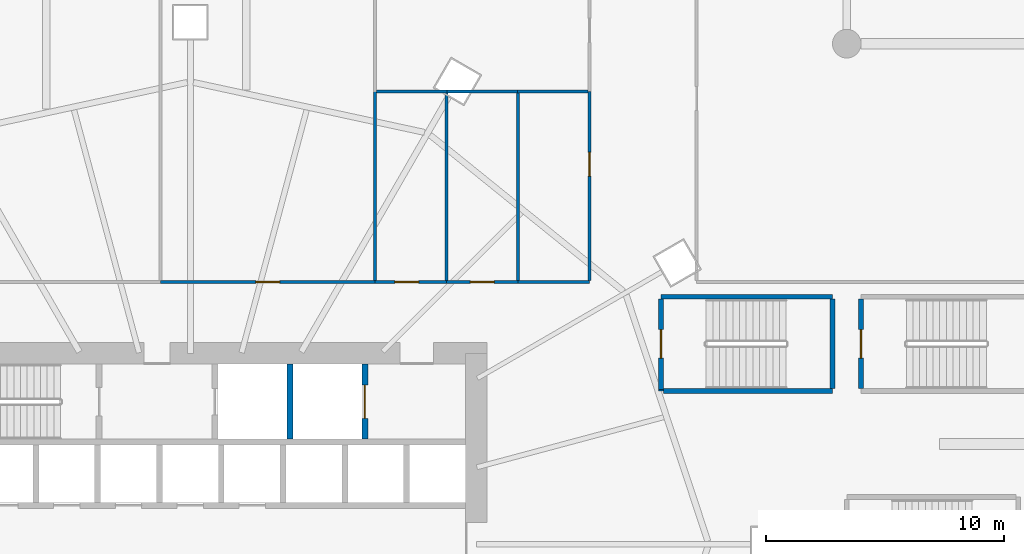
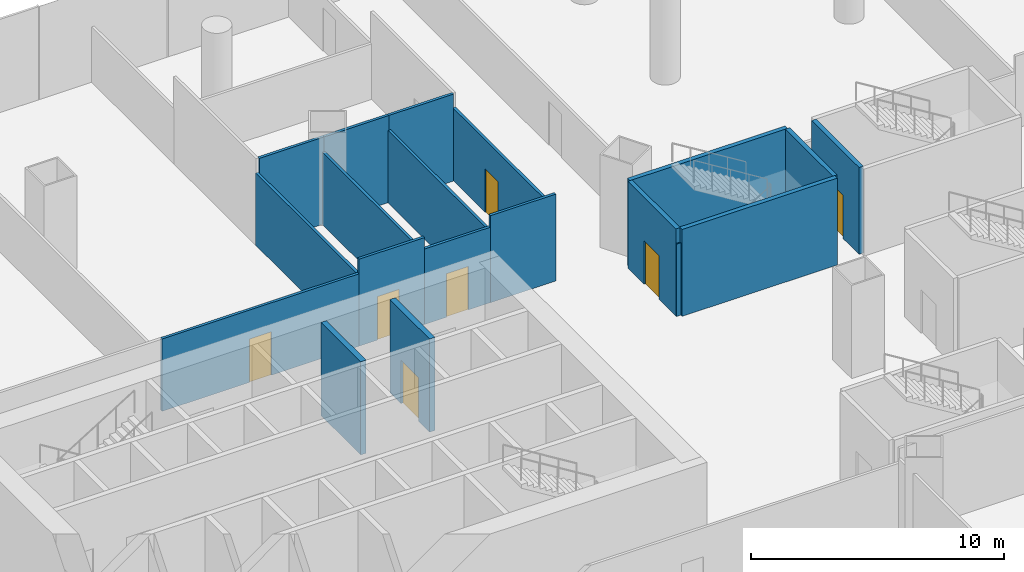
# One storey, part 30 of 43: 19 walls, 7 doors, 7 openings.
"""IFC4 building model written with IfcOpenShell, lengths in metres."""

from ifc_helpers import new_model, si_unit, direction, frame, frame_2d, origin, place, context, subcontext, project, spatial, rectangle, extrude, material, layer, layer_set, type_object, element, fill, save


model = new_model("IFC4")

# Units and contexts
model_context = context("Model", 3, precision=1e-05, world=origin(), true_north=direction((0.0, 1.0)))
body_context = subcontext(model_context, "Body", "Model", "MODEL_VIEW")
ifc_project = project(units=[si_unit("LENGTHUNIT", "METRE"), si_unit("AREAUNIT", "SQUARE_METRE"), si_unit("VOLUMEUNIT", "CUBIC_METRE"), si_unit("PLANEANGLEUNIT", "RADIAN"), si_unit("MASSUNIT", "GRAM", prefix="KILO")], contexts=[model_context])

# Site, building, storey
site_placement = place(None, origin())
site = spatial("IfcSite", under=ifc_project, at=site_placement, CompositionType="ELEMENT")
building_placement = place(site_placement, origin())
building = spatial("IfcBuilding", under=site, at=building_placement, Name="Rimbun Link Towers", CompositionType="ELEMENT")
storey_placement = place(building_placement, frame((0.0, 0.0, 12.0)))
storey = spatial("IfcBuildingStorey", under=building, at=storey_placement, Name="L02", CompositionType="ELEMENT", Elevation=12.0)

# Wall, opening, door
ifc_material_1 = material(Name="Gypsum board on steel studs", Category="steel")
ifc_layer_1 = layer(ifc_material_1, 0.125)
ifc_layer_set_1 = layer_set([ifc_layer_1], Name="Partition 125 board on studs")
wall_type_1 = type_object("IfcWallType", Name="Partition 125 board on studs", PredefinedType="PARTITIONING", material=ifc_layer_set_1)
wall_1_placement = place(storey_placement, frame((-21.0, 11.0, 0.0), z_axis=(0.0, 0.0, 1.0), x_axis=(-1.0, 0.0, 0.0)))
wall_1 = element("IfcWall", 1, at=wall_1_placement, inside=storey, type_object=wall_type_1, Name="PD/PW/L02/035", PredefinedType="PARTITIONING", context=body_context, shape_type="SweptSolid", body=[
    extrude(rectangle(XDim=3.0, YDim=0.125, at=frame_2d((1.5, 0.0))), origin(), (0.0, 0.0, 1.0), 4.199951171875),
])
opening_1_placement = place(wall_1_placement, frame((1.1650390625, 0.0, 0.0)))
opening_1 = element("IfcOpeningElement", 2, at=opening_1_placement, cuts=wall_1, Name="Opening PD D02.21", PredefinedType="OPENING", context=body_context, shape_type="SweptSolid", body=[
    extrude(rectangle(XDim=1.0, YDim=2.10009765625, at=frame_2d((0.5, 1.050048828125))), frame((0.0, 0.072509765625, 0.0), z_axis=(0.0, -1.0, 0.0), x_axis=(1.0, 0.0, 0.0)), (0.0, 0.0, 1.0), 0.14501953125),
])
ifc_material_2 = material(Name="Timber door set", Category="wood")
door_type_1 = type_object("IfcDoorType", Name="Door single leaf 1000 x 2100", OperationType="NOTDEFINED", PredefinedType="DOOR", material=ifc_material_2)
door_1_placement = place(opening_1_placement, origin())
door_1 = element("IfcDoor", 3, at=door_1_placement, inside=storey, type_object=door_type_1, Name="PD/DR/L02/021", OperationType="SINGLE_SWING_RIGHT", OverallHeight=2.10009765625, OverallWidth=1.0, PredefinedType="DOOR", context=body_context, shape_type="SweptSolid", body=[
    extrude(rectangle(XDim=1.0, YDim=2.10009765625, at=frame_2d((0.5, 1.050048828125))), frame((0.0, 0.02490234375, 0.0), z_axis=(0.0, -1.0, 0.0), x_axis=(1.0, 0.0, 0.0)), (0.0, 0.0, 1.0), 0.050048828125),
])
fill(opening_1, door_1)

wall_2_placement = place(storey_placement, frame((-18.0, 11.0, 0.0), z_axis=(0.0, 0.0, 1.0), x_axis=(-1.0, 0.0, 0.0)))
wall_2 = element("IfcWall", 4, at=wall_2_placement, inside=storey, type_object=wall_type_1, Name="PD/PW/L02/036", PredefinedType="PARTITIONING", context=body_context, shape_type="SweptSolid", body=[
    extrude(rectangle(XDim=3.0, YDim=0.125, at=frame_2d((1.5, 0.0))), origin(), (0.0, 0.0, 1.0), 3.64697265625),
])
opening_2_placement = place(wall_2_placement, frame((1.0, 0.0, 0.0)))
opening_2 = element("IfcOpeningElement", 5, at=opening_2_placement, cuts=wall_2, Name="Opening PD D02.22", PredefinedType="OPENING", context=body_context, shape_type="SweptSolid", body=[
    extrude(rectangle(XDim=1.0, YDim=2.10009765625, at=frame_2d((0.5, 1.050048828125))), frame((0.0, 0.072509765625, 0.0), z_axis=(0.0, -1.0, 0.0), x_axis=(1.0, 0.0, 0.0)), (0.0, 0.0, 1.0), 0.14501953125),
])
door_2_placement = place(opening_2_placement, origin())
door_2 = element("IfcDoor", 6, at=door_2_placement, inside=storey, type_object=door_type_1, Name="PD/DR/L02/022", OperationType="SINGLE_SWING_LEFT", OverallHeight=2.10009765625, OverallWidth=1.0, PredefinedType="DOOR", context=body_context, shape_type="SweptSolid", body=[
    extrude(rectangle(XDim=1.0, YDim=2.10009765625, at=frame_2d((0.5, 1.050048828125))), frame((0.0, 0.02490234375, 0.0), z_axis=(0.0, -1.0, 0.0), x_axis=(1.0, 0.0, 0.0)), (0.0, 0.0, 1.0), 0.050048828125),
])
fill(opening_2, door_2)

# Wall
wall_3_placement = place(storey_placement, frame((-15.0, 11.0, 0.0), z_axis=(0.0, 0.0, 1.0), x_axis=(-1.0, 0.0, 0.0)))
element("IfcWall", 7, at=wall_3_placement, inside=storey, type_object=wall_type_1, Name="PD/PW/L02/037", PredefinedType="PARTITIONING", context=body_context, shape_type="SweptSolid", body=[
    extrude(rectangle(XDim=3.0, YDim=0.125, at=frame_2d((1.5, 0.0))), origin(), (0.0, 0.0, 1.0), 4.199951171875),
])

# Wall, opening, door
wall_4_placement = place(storey_placement, frame((-24.0, 11.0, 0.0), z_axis=(0.0, 0.0, 1.0), x_axis=(-1.0, 0.0, 0.0)))
wall_4 = element("IfcWall", 8, at=wall_4_placement, inside=storey, type_object=wall_type_1, Name="PD/PW/L02/040", PredefinedType="PARTITIONING", context=body_context, shape_type="SweptSolid", body=[
    extrude(rectangle(XDim=9.0, YDim=0.125, at=frame_2d((4.5, 0.0))), origin(), (0.0, 0.0, 1.0), 3.49609375),
])
opening_3_placement = place(wall_4_placement, frame((4.0, 0.0, 0.0)))
opening_3 = element("IfcOpeningElement", 9, at=opening_3_placement, cuts=wall_4, Name="Opening PD D02.28", PredefinedType="OPENING", context=body_context, shape_type="SweptSolid", body=[
    extrude(rectangle(XDim=1.0, YDim=2.10009765625, at=frame_2d((0.5, 1.050048828125))), frame((0.0, 0.072509765625, 0.0), z_axis=(0.0, -1.0, 0.0), x_axis=(1.0, 0.0, 0.0)), (0.0, 0.0, 1.0), 0.14501953125),
])
door_3_placement = place(opening_3_placement, origin())
door_3 = element("IfcDoor", 10, at=door_3_placement, inside=storey, type_object=door_type_1, Name="PD/DR/L02/028", OperationType="SINGLE_SWING_LEFT", OverallHeight=2.10009765625, OverallWidth=1.0, PredefinedType="DOOR", context=body_context, shape_type="SweptSolid", body=[
    extrude(rectangle(XDim=1.0, YDim=2.10009765625, at=frame_2d((0.5, 1.050048828125))), frame((0.0, 0.02490234375, 0.0), z_axis=(0.0, -1.0, 0.0), x_axis=(1.0, 0.0, 0.0)), (0.0, 0.0, 1.0), 0.050048828125),
])
fill(opening_3, door_3)

wall_5_placement = place(storey_placement, frame((-15.0, 19.0, 0.0), z_axis=(0.0, 0.0, 1.0), x_axis=(0.0, -1.0, 0.0)))
wall_5 = element("IfcWall", 11, at=wall_5_placement, inside=storey, type_object=wall_type_1, Name="PD/PW/L02/087", PredefinedType="PARTITIONING", context=body_context, shape_type="SweptSolid", body=[
    extrude(rectangle(XDim=7.9375, YDim=0.125, at=frame_2d((3.96875, 0.0))), origin(), (0.0, 0.0, 1.0), 3.49609375),
])
opening_4_placement = place(wall_5_placement, frame((2.56298828125, 0.0, 0.0)))
opening_4 = element("IfcOpeningElement", 12, at=opening_4_placement, cuts=wall_5, Name="Opening PD D02.23", PredefinedType="OPENING", context=body_context, shape_type="SweptSolid", body=[
    extrude(rectangle(XDim=1.0, YDim=2.10009765625, at=frame_2d((0.5, 1.050048828125))), frame((0.0, 0.072509765625, 0.0), z_axis=(0.0, -1.0, 0.0), x_axis=(1.0, 0.0, 0.0)), (0.0, 0.0, 1.0), 0.14501953125),
])
door_4_placement = place(opening_4_placement, origin())
door_4 = element("IfcDoor", 13, at=door_4_placement, inside=storey, type_object=door_type_1, Name="PD/DR/L02/023", OperationType="SINGLE_SWING_RIGHT", OverallHeight=2.10009765625, OverallWidth=1.0, PredefinedType="DOOR", context=body_context, shape_type="SweptSolid", body=[
    extrude(rectangle(XDim=1.0, YDim=2.10009765625, at=frame_2d((0.5, 1.050048828125))), frame((0.0, 0.02490234375, 0.0), z_axis=(0.0, -1.0, 0.0), x_axis=(1.0, 0.0, 0.0)), (0.0, 0.0, 1.0), 0.050048828125),
])
fill(opening_4, door_4)

# Walls
wall_6_placement = place(storey_placement, frame((-21.0, 11.0625, 0.0), z_axis=(0.0, 0.0, 1.0), x_axis=(0.0, 1.0, 0.0)))
element("IfcWall", 14, at=wall_6_placement, inside=storey, type_object=wall_type_1, Name="PD/PW/L02/091", PredefinedType="PARTITIONING", context=body_context, shape_type="SweptSolid", body=[
    extrude(rectangle(XDim=7.9375, YDim=0.125, at=frame_2d((3.96875, 0.0))), origin(), (0.0, 0.0, 1.0), 3.49609375),
])
wall_7_placement = place(storey_placement, frame((-20.97998046875, 19.0, 0.0), z_axis=(0.0, 0.0, 1.0), x_axis=(-1.0, 0.0, 0.0)))
element("IfcWall", 15, at=wall_7_placement, inside=storey, type_object=wall_type_1, Name="PD/PW/L02/092", PredefinedType="PARTITIONING", context=body_context, shape_type="SweptSolid", body=[
    extrude(rectangle(XDim=2.95751953125, YDim=0.125, at=frame_2d((1.478759765625, 0.0))), origin(), (0.0, 0.0, 1.0), 4.199951171875),
])
wall_8_placement = place(storey_placement, frame((-24.0, 19.02001953125, 0.0), z_axis=(0.0, 0.0, 1.0), x_axis=(0.0, -1.0, 0.0)))
element("IfcWall", 16, at=wall_8_placement, inside=storey, type_object=wall_type_1, Name="PD/PW/L02/093", PredefinedType="PARTITIONING", context=body_context, shape_type="SweptSolid", body=[
    extrude(rectangle(XDim=7.95751953125, YDim=0.125, at=frame_2d((3.978759765625, 0.0))), origin(), (0.0, 0.0, 1.0), 3.49609375),
])
wall_9_placement = place(storey_placement, frame((-18.0, 11.0625, 0.0), z_axis=(0.0, 0.0, 1.0), x_axis=(0.0, 1.0, 0.0)))
element("IfcWall", 17, at=wall_9_placement, inside=storey, type_object=wall_type_1, Name="PD/PW/L02/094", PredefinedType="PARTITIONING", context=body_context, shape_type="SweptSolid", body=[
    extrude(rectangle(XDim=7.9375, YDim=0.125, at=frame_2d((3.96875, 0.0))), origin(), (0.0, 0.0, 1.0), 3.49609375),
])
wall_10_placement = place(storey_placement, frame((-17.97998046875, 19.0, 0.0), z_axis=(0.0, 0.0, 1.0), x_axis=(-1.0, 0.0, 0.0)))
element("IfcWall", 18, at=wall_10_placement, inside=storey, type_object=wall_type_1, Name="PD/PW/L02/095", PredefinedType="PARTITIONING", context=body_context, shape_type="SweptSolid", body=[
    extrude(rectangle(XDim=3.0400390625, YDim=0.125, at=frame_2d((1.52001953125, 0.0))), origin(), (0.0, 0.0, 1.0), 4.199951171875),
])
wall_11_placement = place(storey_placement, frame((-15.0625, 19.0, 0.0), z_axis=(0.0, 0.0, 1.0), x_axis=(-1.0, 0.0, 0.0)))
element("IfcWall", 19, at=wall_11_placement, inside=storey, type_object=wall_type_1, Name="PD/PW/L02/096", PredefinedType="PARTITIONING", context=body_context, shape_type="SweptSolid", body=[
    extrude(rectangle(XDim=2.95751953125, YDim=0.125, at=frame_2d((1.478759765625, 0.0))), origin(), (0.0, 0.0, 1.0), 4.199951171875),
])
ifc_material_3 = material(Name="Concrete C60/75", Category="concrete")
ifc_layer_2 = layer(ifc_material_3, 0.25)
ifc_layer_set_2 = layer_set([ifc_layer_2], Name="Shaft wall 250")
wall_type_2 = type_object("IfcWallType", Name="Shaft wall 250", PredefinedType="SHEAR", material=ifc_layer_set_2)
wall_12_placement = place(storey_placement, frame((-27.574951171875, 4.39990234375, 0.0), z_axis=(0.0, 0.0, 1.0), x_axis=(0.0, 1.0, 0.0)))
element("IfcWall", 20, at=wall_12_placement, inside=storey, type_object=wall_type_2, Name="L02 T1 core wall A3", PredefinedType="SHEAR", context=body_context, shape_type="SweptSolid", body=[
    extrude(rectangle(XDim=3.150146484375, YDim=0.25, at=frame_2d((1.5751953125, 0.0))), origin(), (0.0, 0.0, 1.0), 4.5),
])

# Wall, opening, door
wall_13_placement = place(storey_placement, frame((-24.425048828125, 4.39990234375, 0.0), z_axis=(0.0, 0.0, 1.0), x_axis=(0.0, 1.0, 0.0)))
wall_13 = element("IfcWall", 21, at=wall_13_placement, inside=storey, type_object=wall_type_2, Name="L02 T1 core wall A4", PredefinedType="SHEAR", context=body_context, shape_type="SweptSolid", body=[
    extrude(rectangle(XDim=3.150146484375, YDim=0.25, at=frame_2d((1.5751953125, 0.0))), origin(), (0.0, 0.0, 1.0), 4.5),
])
opening_5_placement = place(wall_13_placement, frame((0.875, 0.0, 0.0)))
opening_5 = element("IfcOpeningElement", 22, at=opening_5_placement, cuts=wall_13, Name="Opening LD-T1-GL1", PredefinedType="OPENING", context=body_context, shape_type="SweptSolid", body=[
    extrude(rectangle(XDim=1.39990234375, YDim=2.10009765625, at=frame_2d((0.699951171875, 1.050048828125))), frame((0.0, 0.135009765625, 0.0), z_axis=(0.0, -1.0, 0.0), x_axis=(1.0, 0.0, 0.0)), (0.0, 0.0, 1.0), 0.27001953125),
])
ifc_material_4 = material(Name="Stainless steel grade 316", Category="steel")
door_type_2 = type_object("IfcDoorType", Name="Goods lift landing door", OperationType="DOUBLE_DOOR_SLIDING", PredefinedType="DOOR", material=ifc_material_4)
door_5_placement = place(opening_5_placement, origin())
door_5 = element("IfcDoor", 23, at=door_5_placement, inside=storey, type_object=door_type_2, Name="L02 T1 lift GL1 landing door", OperationType="DOUBLE_DOOR_SLIDING", OverallHeight=2.10009765625, OverallWidth=1.39990234375, PredefinedType="DOOR", context=body_context, shape_type="SweptSolid", body=[
    extrude(rectangle(XDim=1.39990234375, YDim=2.10009765625, at=frame_2d((0.699951171875, 1.050048828125))), frame((0.0, 0.02490234375, 0.0), z_axis=(0.0, -1.0, 0.0), x_axis=(1.0, 0.0, 0.0)), (0.0, 0.0, 1.0), 0.050048828125),
])
fill(opening_5, door_5)

# Wall
ifc_material_5 = material(Name="Concrete C40/50", Category="concrete")
ifc_layer_3 = layer(ifc_material_5, 0.199951171875)
ifc_layer_set_3 = layer_set([ifc_layer_3], Name="Stair shaft wall 200")
wall_type_3 = type_object("IfcWallType", Name="Stair shaft wall 200", PredefinedType="SOLIDWALL", material=ifc_layer_set_3)
wall_14_placement = place(storey_placement, frame((-4.800048828125, 10.375, 0.0), z_axis=(0.0, 0.0, 1.0), x_axis=(-1.0, 0.0, 0.0)))
element("IfcWall", 24, at=wall_14_placement, inside=storey, type_object=wall_type_3, Name="PD/PW/L02/009", PredefinedType="SOLIDWALL", context=body_context, shape_type="SweptSolid", body=[
    extrude(rectangle(XDim=7.199951171875, YDim=0.199951171875, at=frame_2d((3.60009765625, 0.0))), origin(), (0.0, 0.0, 1.0), 4.199951171875),
])

# Wall, opening, door
wall_15_placement = place(storey_placement, frame((-12.0, 10.27490234375, 0.0), z_axis=(0.0, 0.0, 1.0), x_axis=(0.0, -1.0, 0.0)))
wall_15 = element("IfcWall", 25, at=wall_15_placement, inside=storey, type_object=wall_type_3, Name="PD/PW/L02/010", PredefinedType="SOLIDWALL", context=body_context, shape_type="SweptSolid", body=[
    extrude(rectangle(XDim=3.794677734375, YDim=0.199951171875, at=frame_2d((1.8974609375, 0.0))), origin(), (0.0, 0.0, 1.0), 4.199951171875),
])
opening_6_placement = place(wall_15_placement, frame((1.27490234375, 0.0, 0.0)))
opening_6 = element("IfcOpeningElement", 26, at=opening_6_placement, cuts=wall_15, Name="Opening PD DS3", PredefinedType="OPENING", context=body_context, shape_type="SweptSolid", body=[
    extrude(rectangle(XDim=1.199951171875, YDim=2.10009765625, at=frame_2d((0.60009765625, 1.050048828125))), frame((0.0, 0.10986328125, 0.0), z_axis=(0.0, -1.0, 0.0), x_axis=(1.0, 0.0, 0.0)), (0.0, 0.0, 1.0), 0.219970703125),
])
ifc_material_6 = material(Name="Steel fire door set", Category="steel")
door_type_3 = type_object("IfcDoorType", Name="Stair door", OperationType="SINGLE_SWING_LEFT", PredefinedType="DOOR", material=ifc_material_6)
door_6_placement = place(opening_6_placement, frame((1.199951171875, 0.0, 0.0), z_axis=(0.0, 0.0, 1.0), x_axis=(-1.0, 0.0, 0.0)))
door_6 = element("IfcDoor", 27, at=door_6_placement, inside=storey, type_object=door_type_3, Name="PD/DR/L02/S3", OperationType="SINGLE_SWING_LEFT", OverallHeight=2.10009765625, OverallWidth=1.199951171875, PredefinedType="DOOR", context=body_context, shape_type="SweptSolid", body=[
    extrude(rectangle(XDim=1.199951171875, YDim=2.10009765625, at=frame_2d((0.60009765625, 1.050048828125))), frame((0.0, 0.02490234375, 0.0), z_axis=(0.0, -1.0, 0.0), x_axis=(1.0, 0.0, 0.0)), (0.0, 0.0, 1.0), 0.050048828125),
])
fill(opening_6, door_6)

# Walls
wall_16_placement = place(storey_placement, frame((-12.0, 6.480224609375, 0.0), z_axis=(0.0, 0.0, 1.0), x_axis=(0.0, -1.0, 0.0)))
element("IfcWall", 28, at=wall_16_placement, inside=storey, type_object=wall_type_3, Name="PD/PW/L02/010b", PredefinedType="SOLIDWALL", context=body_context, shape_type="SweptSolid", body=[
    extrude(rectangle(XDim=0.05517578125, YDim=0.199951171875, at=frame_2d((0.027587890625, 0.0))), origin(), (0.0, 0.0, 1.0), 3.49609375),
])
wall_17_placement = place(storey_placement, frame((-11.89990234375, 6.425048828125, 0.0), z_axis=(0.0, 0.0, 1.0), x_axis=(1.0, 0.0, 0.0)))
element("IfcWall", 29, at=wall_17_placement, inside=storey, type_object=wall_type_3, Name="PD/PW/L02/011", PredefinedType="SOLIDWALL", context=body_context, shape_type="SweptSolid", body=[
    extrude(rectangle(XDim=7.099853515625, YDim=0.199951171875, at=frame_2d((3.5498046875, 0.0))), origin(), (0.0, 0.0, 1.0), 4.199951171875),
])
wall_18_placement = place(storey_placement, frame((-4.800048828125, 6.52490234375, 0.0), z_axis=(0.0, 0.0, 1.0), x_axis=(0.0, 1.0, 0.0)))
element("IfcWall", 30, at=wall_18_placement, inside=storey, type_object=wall_type_3, Name="PD/PW/L02/012", PredefinedType="SOLIDWALL", context=body_context, shape_type="SweptSolid", body=[
    extrude(rectangle(XDim=3.75, YDim=0.199951171875, at=frame_2d((1.875, 0.0))), origin(), (0.0, 0.0, 1.0), 4.199951171875),
])

# Wall, opening, door
wall_19_placement = place(storey_placement, frame((-3.60009765625, 10.27490234375, 0.0), z_axis=(0.0, 0.0, 1.0), x_axis=(0.0, -1.0, 0.0)))
wall_19 = element("IfcWall", 31, at=wall_19_placement, inside=storey, type_object=wall_type_3, Name="PD/PW/L02/016", PredefinedType="SOLIDWALL", context=body_context, shape_type="SweptSolid", body=[
    extrude(rectangle(XDim=3.75, YDim=0.199951171875, at=frame_2d((1.875, 0.0))), origin(), (0.0, 0.0, 1.0), 4.199951171875),
])
opening_7_placement = place(wall_19_placement, frame((1.27490234375, 0.0, 0.0)))
opening_7 = element("IfcOpeningElement", 32, at=opening_7_placement, cuts=wall_19, Name="Opening PD DS4", PredefinedType="OPENING", context=body_context, shape_type="SweptSolid", body=[
    extrude(rectangle(XDim=1.199951171875, YDim=2.10009765625, at=frame_2d((0.60009765625, 1.050048828125))), frame((0.0, 0.10986328125, 0.0), z_axis=(0.0, -1.0, 0.0), x_axis=(1.0, 0.0, 0.0)), (0.0, 0.0, 1.0), 0.219970703125),
])
door_7_placement = place(opening_7_placement, frame((1.199951171875, 0.0, 0.0), z_axis=(0.0, 0.0, 1.0), x_axis=(-1.0, 0.0, 0.0)))
door_7 = element("IfcDoor", 33, at=door_7_placement, inside=storey, type_object=door_type_3, Name="PD/DR/L02/S4", OperationType="SINGLE_SWING_LEFT", OverallHeight=2.10009765625, OverallWidth=1.199951171875, PredefinedType="DOOR", context=body_context, shape_type="SweptSolid", body=[
    extrude(rectangle(XDim=1.199951171875, YDim=2.10009765625, at=frame_2d((0.60009765625, 1.050048828125))), frame((0.0, 0.02490234375, 0.0), z_axis=(0.0, -1.0, 0.0), x_axis=(1.0, 0.0, 0.0)), (0.0, 0.0, 1.0), 0.050048828125),
])
fill(opening_7, door_7)

save(model, "model.ifc")
